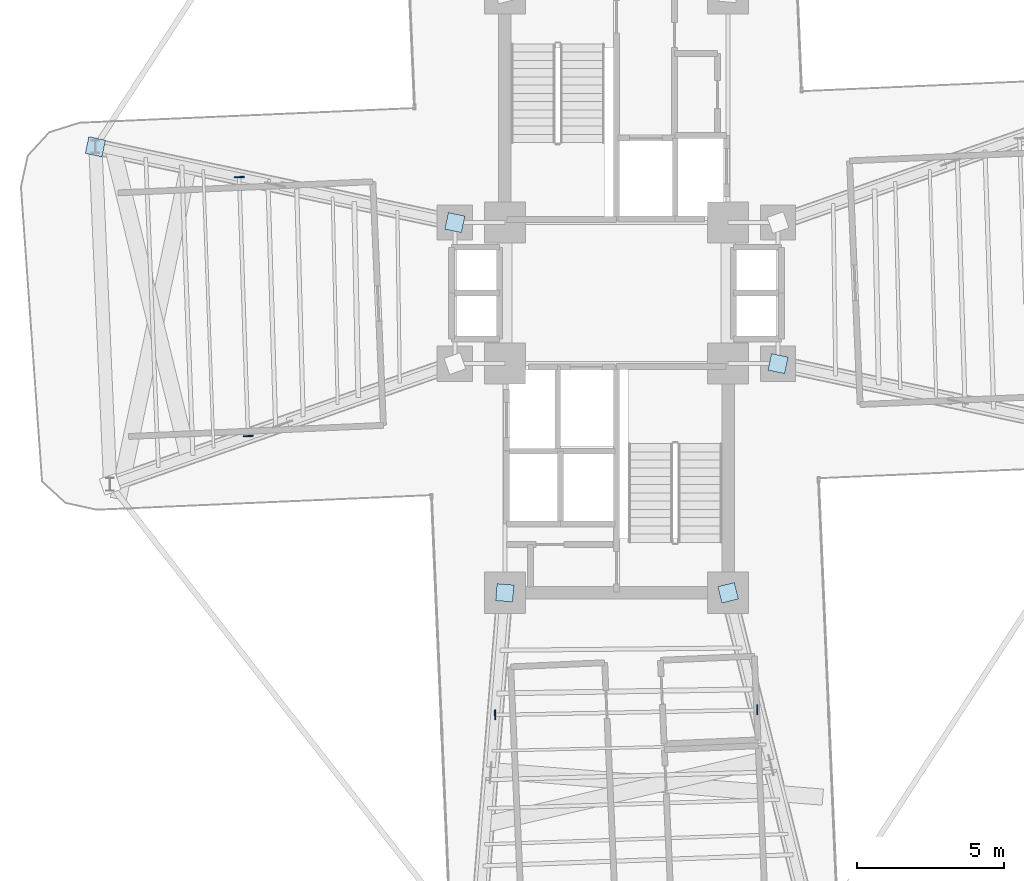
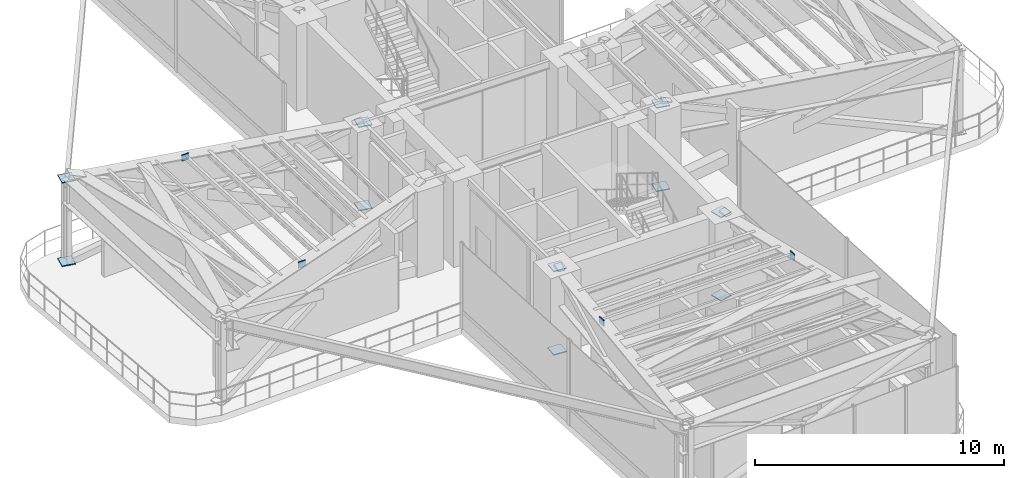
# One storey, part 13 of 18: 14 plates.
"""IFC4 building model written with IfcOpenShell, lengths in metres."""

import ifcopenshell
import ifcopenshell.guid

model = None  # the IFC model being written
_history = None  # IfcOwnerHistory: only IFC2X3 demands one
_inside = {}  # id of a spatial element -> (the spatial element, [elements in it])
_under = {}  # id of a project, library or spatial element -> (it, [spatial elements below it])
_declared = {}  # id of a project -> (the project, [libraries it declares])
_typed = {}  # id of a type object -> (the type object, [elements of that type])
_made_of = {}  # id of a material, layer set ... -> (it, [elements and type objects made of it])


def new_model(schema):
    """Start an empty IFC model of exactly this schema.

    Asked for "IFC4X3", IfcOpenShell would pick the latest addendum, in which some entities
    have other attributes; the version numbers below select the first issue.
    IFC2X3 requires an IfcOwnerHistory on every rooted entity: one is made here for all.
    """
    global model, _history
    if schema == "IFC4X3":
        model = ifcopenshell.file(schema_version=(4, 3, 0, 0))
    else:
        model = ifcopenshell.file(schema=schema)
    _inside.clear()
    _under.clear()
    _declared.clear()
    _typed.clear()
    _made_of.clear()
    _history = None
    if model.schema == "IFC2X3":
        org = make("IfcOrganization", Name="unknown")
        user = make(
            "IfcPersonAndOrganization",
            ThePerson=make("IfcPerson", FamilyName="unknown"),
            TheOrganization=org,
        )
        app = make(
            "IfcApplication",
            ApplicationDeveloper=org,
            Version="unknown",
            ApplicationFullName="unknown",
            ApplicationIdentifier="unknown",
        )
        _history = make(
            "IfcOwnerHistory",
            OwningUser=user,
            OwningApplication=app,
            ChangeAction="ADDED",
            CreationDate=0,
        )
    return model


def make(cls, **values):
    """One entity of the class cls with the attributes given. An attribute that is None is left unset."""
    return model.create_entity(
        cls, **{name: value for name, value in values.items() if value is not None}
    )


def rooted(cls, **values):
    """An entity with a GlobalId (a new one), such as an element, a storey or a relation."""
    return make(cls, GlobalId=ifcopenshell.guid.new(), OwnerHistory=_history, **values)


def si_unit(unit_type, name, prefix=None):
    """IfcSIUnit, for example si_unit("LENGTHUNIT", "METRE", prefix="MILLI")."""
    return make("IfcSIUnit", UnitType=unit_type, Prefix=prefix, Name=name)


def assignment(units):
    """IfcUnitAssignment: the units of a project."""
    return None if units is None else make("IfcUnitAssignment", Units=units)


def point(xyz):
    """IfcCartesianPoint."""
    return None if xyz is None else make("IfcCartesianPoint", Coordinates=xyz)


def direction(xyz):
    """IfcDirection."""
    return None if xyz is None else make("IfcDirection", DirectionRatios=xyz)


def frame(location, z_axis=None, x_axis=None):
    """IfcAxis2Placement3D, a coordinate frame: its origin and axes. An axis left out is left unset."""
    return make(
        "IfcAxis2Placement3D",
        Location=point(location),
        Axis=direction(z_axis),
        RefDirection=direction(x_axis),
    )


def frame_2d(location, x_axis=None):
    """IfcAxis2Placement2D, a coordinate frame in the plane: its origin and x axis."""
    return make(
        "IfcAxis2Placement2D", Location=point(location), RefDirection=direction(x_axis)
    )


def origin():
    """The frame at (0, 0, 0) with its axes left unset."""
    return frame((0.0, 0.0, 0.0))


def origin_2d():
    """The frame at (0, 0) in the plane with its x axis left unset."""
    return frame_2d((0.0, 0.0))


def place(relative_to, where):
    """IfcLocalPlacement: puts the frame where relative to a parent placement (None: the world)."""
    return make(
        "IfcLocalPlacement", PlacementRelTo=relative_to, RelativePlacement=where
    )


def context(
    kind, dimensions, precision=None, world=None, true_north=None, identifier=None
):
    """IfcGeometricRepresentationContext, for example the 3D "Model" context."""
    return make(
        "IfcGeometricRepresentationContext",
        ContextIdentifier=identifier,
        ContextType=kind,
        CoordinateSpaceDimension=dimensions,
        Precision=precision,
        WorldCoordinateSystem=world,
        TrueNorth=true_north,
    )


def subcontext(parent, identifier, kind, view, scale=None):
    """IfcGeometricRepresentationSubContext, for example "Body" below "Model"."""
    return make(
        "IfcGeometricRepresentationSubContext",
        ContextIdentifier=identifier,
        ContextType=kind,
        ParentContext=parent,
        TargetScale=scale,
        TargetView=view,
    )


def project(units=None, contexts=None):
    """IfcProject with its units and contexts."""
    return rooted(
        "IfcProject",
        Name="project",
        RepresentationContexts=contexts,
        UnitsInContext=assignment(units),
    )


def spatial(cls, under=None, at=None, **own):
    """A site, building, storey or space (cls), placed at a placement, below another one or the project."""
    s = rooted(cls, ObjectPlacement=at, **own)
    if under is not None:
        _under.setdefault(under.id(), (under, []))[1].append(s)
    return s


def profile(cls, at=None, kind="AREA", **sizes):
    """A parametric profile (cls). Its sizes go by their IFC names, for example OverallWidth=200.0."""
    return make(cls, ProfileType=kind, Position=at, **sizes)


def rectangle(**sizes):
    """IfcRectangleProfileDef."""
    return profile("IfcRectangleProfileDef", **sizes)


def extrude(swept, where, along, depth):
    """IfcExtrudedAreaSolid: the profile swept, set in the frame where, extruded along a direction by depth."""
    return make(
        "IfcExtrudedAreaSolid",
        SweptArea=swept,
        Position=where,
        ExtrudedDirection=direction(along),
        Depth=depth,
    )


def shape(context_of_items, identifier, shape_type, items):
    """IfcShapeRepresentation: the items that make up one representation, for example the "Body"."""
    return make(
        "IfcShapeRepresentation",
        ContextOfItems=context_of_items,
        RepresentationIdentifier=identifier,
        RepresentationType=shape_type,
        Items=items,
    )


def source(mapping_origin, context_of_items, identifier, shape_type, items):
    """IfcRepresentationMap: a shape defined once, which mapped items show again and again."""
    return make(
        "IfcRepresentationMap",
        MappingOrigin=mapping_origin,
        MappedRepresentation=shape(context_of_items, identifier, shape_type, items),
    )


def transform(
    local_origin,
    x_axis=None,
    y_axis=None,
    z_axis=None,
    scale=None,
    scale2=None,
    scale3=None,
    uniform=True,
):
    """IfcCartesianTransformationOperator3D, or its non-uniform kind. x_axis, y_axis, z_axis: its Axis1, 2, 3."""
    if uniform:
        return make(
            "IfcCartesianTransformationOperator3D",
            Axis1=direction(x_axis),
            Axis2=direction(y_axis),
            LocalOrigin=point(local_origin),
            Scale=scale,
            Axis3=direction(z_axis),
        )
    return make(
        "IfcCartesianTransformationOperator3DnonUniform",
        Axis1=direction(x_axis),
        Axis2=direction(y_axis),
        LocalOrigin=point(local_origin),
        Scale=scale,
        Axis3=direction(z_axis),
        Scale2=scale2,
        Scale3=scale3,
    )


def mapped(mapping_source, mapping_target):
    """IfcMappedItem: shows the shape of a source again, moved by a transform."""
    return make(
        "IfcMappedItem", MappingSource=mapping_source, MappingTarget=mapping_target
    )


def material(Name=None, Category=None):
    """IfcMaterial."""
    return make("IfcMaterial", Name=Name, Category=Category)


def made_of(thing, what):
    """Note that an element or type object is made of a material, layer set ...; save() writes the relation."""
    if what is not None:
        _made_of.setdefault(what.id(), (what, []))[1].append(thing)
    return thing


def type_object(cls, material=None, **own):
    """A type object (cls), such as IfcWallType, which elements share."""
    return made_of(rooted(cls, **own), material)


def element(
    cls,
    number,
    at=None,
    inside=None,
    cuts=None,
    type_object=None,
    material=None,
    context=None,
    identifier="Body",
    shape_type=None,
    held_by="IfcProductDefinitionShape",
    body=None,
    shapes=None,
    **own,
):
    """One element of the class cls, such as IfcWall. Its Tag is "e" and its number.

    at: its placement. inside: the storey or other place that contains it. cuts: it is an
    opening in that element (IfcRelVoidsElement). A single representation is given by context,
    identifier, shape_type and body (its items); several are given by shapes. held_by: the class
    of the entity that holds the representations. save() writes the other relations.
    """
    e = rooted(cls, Tag="e%d" % number, ObjectPlacement=at, **own)
    if body is not None:
        shapes = [shape(context, identifier, shape_type, body)]
    if shapes is not None:
        e.Representation = make(held_by, Representations=shapes)
    if inside is not None:
        _inside.setdefault(inside.id(), (inside, []))[1].append(e)
    if cuts is not None:
        rooted(
            "IfcRelVoidsElement", RelatingBuildingElement=cuts, RelatedOpeningElement=e
        )
    if type_object is not None:
        _typed.setdefault(type_object.id(), (type_object, []))[1].append(e)
    return made_of(e, material)


def aggregate(whole, parts):
    """IfcRelAggregates: a whole, such as a stair, and the parts it consists of."""
    return rooted("IfcRelAggregates", RelatingObject=whole, RelatedObjects=parts)


def save(model, path):
    """Write the relations noted so far, then the file.

    IfcRelAggregates (storeys below a building ...), IfcRelContainedInSpatialStructure (elements
    in a storey), IfcRelDefinesByType, IfcRelAssociatesMaterial and IfcRelDeclares: one each for
    every whole, place, type object, material and project.
    """
    for whole, parts in _under.values():
        aggregate(whole, parts)
    for where, things in _inside.values():
        rooted(
            "IfcRelContainedInSpatialStructure",
            RelatedElements=things,
            RelatingStructure=where,
        )
    for kind, things in _typed.values():
        rooted("IfcRelDefinesByType", RelatedObjects=things, RelatingType=kind)
    for what, things in _made_of.values():
        rooted("IfcRelAssociatesMaterial", RelatedObjects=things, RelatingMaterial=what)
    for by, libraries in _declared.values():
        rooted("IfcRelDeclares", RelatingContext=by, RelatedDefinitions=libraries)
    model.write(path)


model = new_model("IFC4")

# Units and contexts
model_context = context("Model", 3, precision=1e-05, world=origin(), true_north=direction((0.0, 1.0)))
body_context = subcontext(model_context, "Body", "Model", "MODEL_VIEW")
ifc_project = project(units=[si_unit("LENGTHUNIT", "METRE"), si_unit("AREAUNIT", "SQUARE_METRE"), si_unit("VOLUMEUNIT", "CUBIC_METRE"), si_unit("PLANEANGLEUNIT", "RADIAN"), si_unit("MASSUNIT", "GRAM", prefix="KILO")], contexts=[model_context])

# Site, building, storey
site_placement = place(None, origin())
site = spatial("IfcSite", under=ifc_project, at=site_placement, CompositionType="ELEMENT")
building_placement = place(site_placement, origin())
building = spatial("IfcBuilding", under=site, at=building_placement, Name="Sahyath Konkavel Grand Hotel", CompositionType="ELEMENT")
storey_placement = place(building_placement, frame((0.0, 0.0, 138.25)))
storey = spatial("IfcBuildingStorey", under=building, at=storey_placement, Name="L38", CompositionType="ELEMENT", Elevation=138.25)

# Plates
ifc_material = material(Name="Steel E450", Category="steel")
plate_type = type_object("IfcPlateType", Name="GUSSET-END-35", PredefinedType="USERDEFINED", material=ifc_material)
shared_shape_1 = source(origin(), body_context, "Body", "SweptSolid", [
    extrude(rectangle(XDim=0.580078125, YDim=0.580078125, at=origin_2d()), origin(), (0.0, 0.0, 1.0), 0.044921875),
])
for number, where, z_axis, x_axis, name in (
    (1, (5.5, -2.39990234375, 0.027587890625), (0.0, 0.0, 1.0), (0.978458570704, -0.206443274088, 0.0), "L38 Core Outrigger Truss EA Cast-In Embed Gusset Plate BL"),
    (2, (5.5, -2.39990234375, 4.107421875), (0.0, 0.0, 1.0), (0.978458570704, -0.206443274088, 0.0), "L38 Core Outrigger Truss EA Cast-In Embed Gusset Plate TL"),
    (3, (-5.5, 2.39990234375, 0.027587890625), (0.0, 0.0, 1.0), (-0.978458570704, 0.206443274088, 0.0), "L38 Core Outrigger Truss WA Cast-In Embed Gusset Plate BL"),
    (4, (-5.5, 2.39990234375, 4.107421875), (0.0, 0.0, 1.0), (-0.978458570704, 0.206443274088, 0.0), "L38 Core Outrigger Truss WA Cast-In Embed Gusset Plate TL"),
    (5, (-17.734130859375, 4.981201171875, 0.027587890625), (0.0, 0.0, 1.0), (-0.978458570704, 0.206443274088, 0.0), "L38 Core Outrigger Truss WA Cast-In Embed Gusset Plate BR"),
    (6, (-17.734130859375, 4.981201171875, 4.107421875), (0.0, 0.0, 1.0), (-0.978458570704, 0.206443274088, 0.0), "L38 Core Outrigger Truss WA Cast-In Embed Gusset Plate TR"),
    (7, (-3.800048828125, -10.199951171875, 0.027587890625), (0.0, 0.0, 1.0), (-0.079572613899, -0.996829072167, 0.0), "L38 Core Outrigger Truss SA Cast-In Embed Gusset Plate BL"),
    (8, (-3.800048828125, -10.199951171875, 4.107421875), (0.0, 0.0, 1.0), (-0.079572613899, -0.996829072167, 0.0), "L38 Core Outrigger Truss SA Cast-In Embed Gusset Plate TL"),
    (9, (3.800048828125, -10.199951171875, 0.027587890625), (0.0, 0.0, 1.0), (0.241041183619, -0.970514887984, 0.0), "L38 Core Outrigger Truss SB Cast-In Embed Gusset Plate BL"),
    (10, (3.800048828125, -10.199951171875, 4.107421875), (0.0, 0.0, 1.0), (0.241041183619, -0.970514887984, 0.0), "L38 Core Outrigger Truss SB Cast-In Embed Gusset Plate TL"),
):
    element("IfcPlate", number, at=place(storey_placement, frame(where, z_axis=z_axis, x_axis=x_axis)), inside=storey, type_object=plate_type, Name=name, ObjectType="GUSSET_PLATE", PredefinedType="USERDEFINED", context=body_context, shape_type="MappedRepresentation", body=[
        mapped(shared_shape_1, transform((0.0, 0.0, 0.0), scale=1.0)),
    ])
shared_shape_2 = source(origin(), body_context, "Body", "SweptSolid", [
    extrude(rectangle(XDim=0.0400390625, YDim=0.340087890625, at=origin_2d()), origin(), (0.0, 0.0, 1.0), 0.300048828125),
])
for number, where, z_axis, x_axis, name in (
    (11, (-12.840576171875, 3.94873046875, 3.919921875), (0.0, 0.0, 1.0), (0.034132009428, -0.999417333216, 0.0), "L38 Sub-Beam W-4 End Cap A"),
    (12, (-12.53955078125, -4.86474609375, 3.919921875), (0.0, 0.0, 1.0), (0.034132009428, -0.999417333216, 0.0), "L38 Sub-Beam W-4 End Cap B"),
    (13, (-4.1318359375, -14.358154296875, 3.919921875), (0.0, 0.0, 1.0), (0.999817383608, 0.019110191946, 0.0), "L38 Sub-Beam S-2 End Cap A"),
    (14, (4.790283203125, -14.1875, 3.919921875), (0.0, 0.0, 1.0), (0.999817383608, 0.019110191946, 0.0), "L38 Sub-Beam S-2 End Cap B"),
):
    element("IfcPlate", number, at=place(storey_placement, frame(where, z_axis=z_axis, x_axis=x_axis)), inside=storey, type_object=plate_type, Name=name, ObjectType="GUSSET_PLATE", PredefinedType="USERDEFINED", context=body_context, shape_type="MappedRepresentation", body=[
        mapped(shared_shape_2, transform((0.0, 0.0, 0.0), scale=1.0)),
    ])

save(model, "model.ifc")
